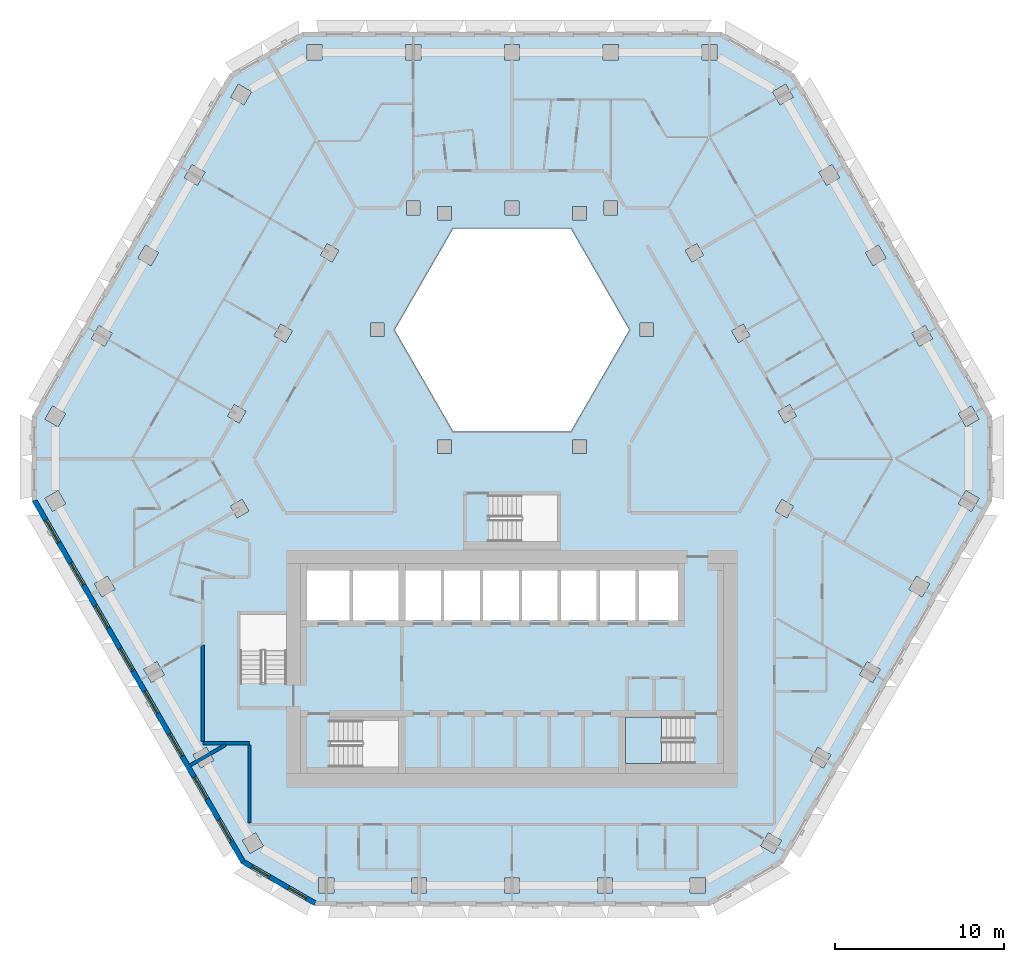
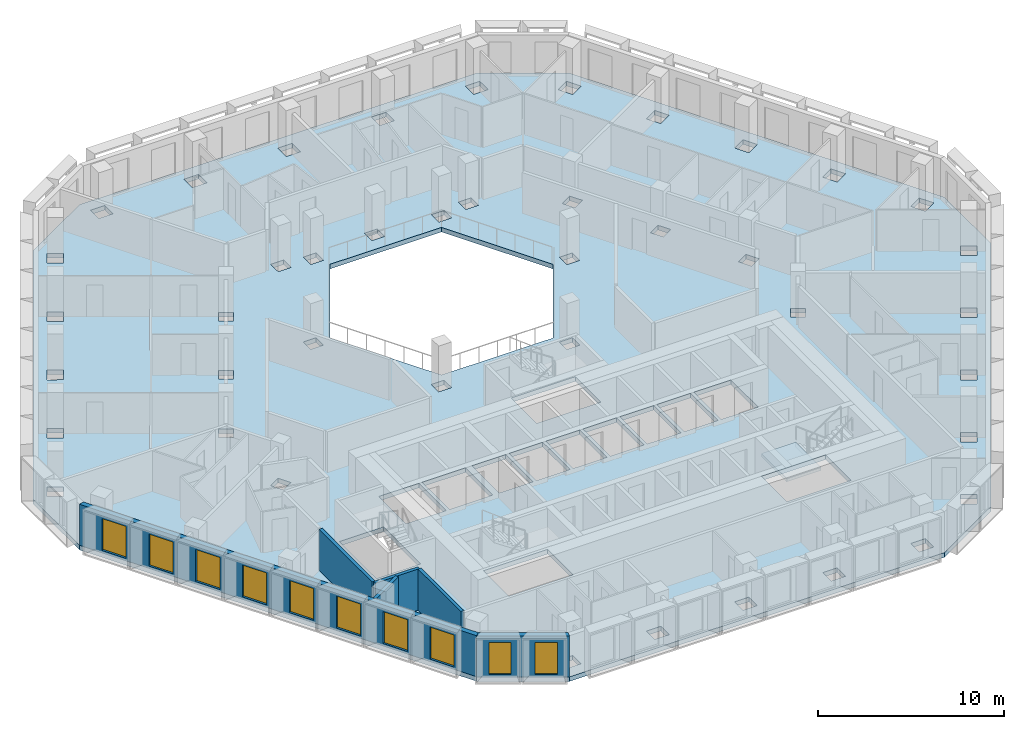
# One storey, part 2 of 18: 10 windows, 6 walls, 2 slabs, 10 openings, 1 element without a shape of its own.
"""IFC4 building model written with IfcOpenShell, lengths in metres."""

from ifc_helpers import new_model, si_unit, direction, frame, frame_2d, origin, place, context, subcontext, project, spatial, polyline, rectangle, outline, extrude, material, layer, layer_set, type_object, element, fill, aggregate, save


model = new_model("IFC4")

# Units and contexts
model_context = context("Model", 3, precision=1e-05, world=origin(), true_north=direction((0.0, 1.0)))
body_context = subcontext(model_context, "Body", "Model", "MODEL_VIEW")
ifc_project = project(units=[si_unit("LENGTHUNIT", "METRE"), si_unit("AREAUNIT", "SQUARE_METRE"), si_unit("VOLUMEUNIT", "CUBIC_METRE"), si_unit("PLANEANGLEUNIT", "RADIAN"), si_unit("MASSUNIT", "GRAM", prefix="KILO")], contexts=[model_context])

# Site, building, storey
site_placement = place(None, origin())
site = spatial("IfcSite", under=ifc_project, at=site_placement, CompositionType="ELEMENT")
building_placement = place(site_placement, origin())
building = spatial("IfcBuilding", under=site, at=building_placement, Name="Beryl Residences", CompositionType="ELEMENT")
storey_placement = place(building_placement, frame((0.0, 0.0, 138.60009765625)))
storey = spatial("IfcBuildingStorey", under=building, at=storey_placement, Name="L42", CompositionType="ELEMENT", Elevation=138.60009765625)

# Slab
ifc_material_1 = material(Name="Concrete C40/50", Category="concrete")
ifc_layer_1 = layer(ifc_material_1, 0.300048828125)
ifc_layer_set_1 = layer_set([ifc_layer_1], Name="SL7 PT floor slab 300 mm C40/50")
slab_type_1 = type_object("IfcSlabType", Name="SL7 PT floor slab 300 mm C40/50", PredefinedType="FLOOR", material=ifc_layer_set_1)
slab_1_placement = place(storey_placement, frame((0.0, 0.0, -0.300048828125)))
element("IfcSlab", 1, at=slab_1_placement, inside=storey, type_object=slab_type_1, Name="L42 slab 1", PredefinedType="FLOOR", context=body_context, shape_type="SweptSolid", body=[
    extrude(outline(polyline([(28.347900390625, -2.10009765625), (15.991943359375, -23.5), (11.662109375, -26.0), (-11.662109375, -26.0), (-15.991943359375, -23.5), (-28.347900390625, -2.10009765625), (-28.347900390625, 2.89990234375), (-16.68505859375, 23.10009765625), (-12.35498046875, 25.60009765625), (12.35498046875, 25.60009765625), (16.68505859375, 23.10009765625), (28.347900390625, 2.89990234375), (28.347900390625, -2.10009765625)]), holes=[polyline([(27.1279296875, 3.514892578125), (26.347900390625, 3.06494140625), (26.798095703125, 2.284912109375), (27.577880859375, 2.735107421875), (27.1279296875, 3.514892578125)]), polyline([(26.7958984375, -1.486083984375), (26.345947265625, -2.26611328125), (27.1259765625, -2.716064453125), (27.575927734375, -1.93603515625), (26.7958984375, -1.486083984375)]), polyline([(23.60498046875, 7.81494140625), (24.054931640625, 7.034912109375), (24.8349609375, 7.485107421875), (24.385009765625, 8.264892578125), (23.60498046875, 7.81494140625)]), polyline([(24.660888671875, -6.986083984375), (23.881103515625, -6.535888671875), (23.430908203125, -7.31591796875), (24.2109375, -7.76611328125), (24.660888671875, -6.986083984375)]), polyline([(21.64306640625, 13.014892578125), (20.863037109375, 12.56494140625), (21.31298828125, 11.784912109375), (22.093017578125, 12.235107421875), (21.64306640625, 13.014892578125)]), polyline([(20.965087890625, -11.5859375), (20.514892578125, -12.365966796875), (21.294921875, -12.81591796875), (21.7451171875, -12.035888671875), (20.965087890625, -11.5859375)]), polyline([(18.1201171875, 17.31494140625), (18.570068359375, 16.534912109375), (19.35009765625, 16.985107421875), (18.89990234375, 17.764892578125), (18.1201171875, 17.31494140625)]), polyline([(18.830078125, -17.0859375), (18.050048828125, -16.635986328125), (17.60009765625, -17.416015625), (18.3798828125, -17.865966796875), (18.830078125, -17.0859375)]), polyline([(16.39892578125, 3.595947265625), (15.70703125, 3.196044921875), (16.10693359375, 2.50390625), (16.799072265625, 2.904052734375), (16.39892578125, 3.595947265625)]), polyline([(16.6240234375, -2.405029296875), (15.931884765625, -2.0048828125), (15.531982421875, -2.697021484375), (16.22412109375, -3.096923828125), (16.6240234375, -2.405029296875)]), polyline([(16.157958984375, 22.514892578125), (15.3779296875, 22.06494140625), (15.827880859375, 21.284912109375), (16.60791015625, 21.735107421875), (16.157958984375, 22.514892578125)]), polyline([(15.9140625, -22.135009765625), (15.134033203125, -21.68505859375), (14.68408203125, -22.465087890625), (15.464111328125, -22.9150390625), (15.9140625, -22.135009765625)]), polyline([(13.656005859375, 8.345947265625), (12.964111328125, 7.946044921875), (13.364013671875, 7.25390625), (14.055908203125, 7.654052734375), (13.656005859375, 8.345947265625)]), polyline([(11.2119140625, 24.85009765625), (11.2119140625, 23.949951171875), (12.112060546875, 23.949951171875), (12.112060546875, 24.85009765625), (11.2119140625, 24.85009765625)]), polyline([(11.4208984375, -24.35009765625), (10.52099609375, -24.35009765625), (10.52099609375, -25.25), (11.4208984375, -25.25), (11.4208984375, -24.35009765625)]), polyline([(10.221923828125, 12.696044921875), (10.6220703125, 12.00390625), (11.31396484375, 12.404052734375), (10.9140625, 13.095947265625), (10.221923828125, 12.696044921875)]), polyline([(6.699951171875, -14.85009765625), (6.699951171875, -17.60009765625), (10.699951171875, -17.60009765625), (10.699951171875, -14.85009765625), (6.699951171875, -14.85009765625)]), polyline([(7.5, -9.14990234375), (9.800048828125, -9.14990234375), (9.800048828125, -6.199951171875), (7.5, -6.199951171875), (7.5, -9.14990234375)]), polyline([(8.366943359375, 7.60009765625), (8.366943359375, 8.39990234375), (7.56689453125, 8.39990234375), (7.56689453125, 7.60009765625), (8.366943359375, 7.60009765625)]), polyline([(7.300048828125, -9.14990234375), (7.300048828125, -6.199951171875), (5.199951171875, -6.199951171875), (5.199951171875, -9.14990234375), (7.300048828125, -9.14990234375)]), polyline([(3.464111328125, 14.0), (-3.464111328125, 14.0), (-6.92822265625, 8.0), (-3.464111328125, 2.0), (3.464111328125, 2.0), (6.92822265625, 8.0), (3.464111328125, 14.0)]), polyline([(5.381103515625, 24.85009765625), (5.381103515625, 23.949951171875), (6.281005859375, 23.949951171875), (6.281005859375, 24.85009765625), (5.381103515625, 24.85009765625)]), polyline([(5.430908203125, 15.60009765625), (5.430908203125, 14.800048828125), (6.23095703125, 14.800048828125), (6.23095703125, 15.60009765625), (5.430908203125, 15.60009765625)]), polyline([(5.93603515625, -25.25), (5.93603515625, -24.35009765625), (5.035888671875, -24.35009765625), (5.035888671875, -25.25), (5.93603515625, -25.25)]), polyline([(2.89990234375, -9.14990234375), (5.0, -9.14990234375), (5.0, -6.199951171875), (2.89990234375, -6.199951171875), (2.89990234375, -9.14990234375)]), polyline([(4.384033203125, 14.5), (4.384033203125, 15.300048828125), (3.583984375, 15.300048828125), (3.583984375, 14.5), (4.384033203125, 14.5)]), polyline([(3.583984375, 1.5), (3.583984375, 0.699951171875), (4.384033203125, 0.699951171875), (4.384033203125, 1.5), (3.583984375, 1.5)]), polyline([(2.699951171875, -4.5), (2.699951171875, -1.75), (-1.300048828125, -1.75), (-1.300048828125, -4.5), (2.699951171875, -4.5)]), polyline([(0.60009765625, -9.14990234375), (2.699951171875, -9.14990234375), (2.699951171875, -6.199951171875), (0.60009765625, -6.199951171875), (0.60009765625, -9.14990234375)]), polyline([(0.450927734375, -24.35009765625), (-0.448974609375, -24.35009765625), (-0.448974609375, -25.25), (0.450927734375, -25.25), (0.450927734375, -24.35009765625)]), polyline([(-0.449951171875, 24.85009765625), (-0.449951171875, 23.949951171875), (0.449951171875, 23.949951171875), (0.449951171875, 24.85009765625), (-0.449951171875, 24.85009765625)]), polyline([(0.39990234375, -6.199951171875), (-1.699951171875, -6.199951171875), (-1.699951171875, -9.14990234375), (0.39990234375, -9.14990234375), (0.39990234375, -6.199951171875)]), polyline([(-0.39990234375, 15.60009765625), (-0.39990234375, 14.800048828125), (0.39990234375, 14.800048828125), (0.39990234375, 15.60009765625), (-0.39990234375, 15.60009765625)]), polyline([(-4.0, -9.14990234375), (-1.89990234375, -9.14990234375), (-1.89990234375, -6.199951171875), (-4.0, -6.199951171875), (-4.0, -9.14990234375)]), polyline([(-3.583984375, 14.5), (-3.583984375, 15.300048828125), (-4.384033203125, 15.300048828125), (-4.384033203125, 14.5), (-3.583984375, 14.5)]), polyline([(-3.583984375, 0.699951171875), (-3.583984375, 1.5), (-4.384033203125, 1.5), (-4.384033203125, 0.699951171875), (-3.583984375, 0.699951171875)]), polyline([(-6.300048828125, -9.14990234375), (-4.199951171875, -9.14990234375), (-4.199951171875, -6.199951171875), (-6.300048828125, -6.199951171875), (-6.300048828125, -9.14990234375)]), polyline([(-5.033935546875, -25.25), (-5.033935546875, -24.35009765625), (-5.93408203125, -24.35009765625), (-5.93408203125, -25.25), (-5.033935546875, -25.25)]), polyline([(-6.281005859375, 23.949951171875), (-5.381103515625, 23.949951171875), (-5.381103515625, 24.85009765625), (-6.281005859375, 24.85009765625), (-6.281005859375, 23.949951171875)]), polyline([(-6.23095703125, 14.800048828125), (-5.430908203125, 14.800048828125), (-5.430908203125, 15.60009765625), (-6.23095703125, 15.60009765625), (-6.23095703125, 14.800048828125)]), polyline([(-6.699951171875, -6.199951171875), (-9.39990234375, -6.199951171875), (-9.39990234375, -9.14990234375), (-6.699951171875, -9.14990234375), (-6.699951171875, -6.199951171875)]), polyline([(-10.699951171875, -15.050048828125), (-10.699951171875, -17.800048828125), (-6.699951171875, -17.800048828125), (-6.699951171875, -15.050048828125), (-10.699951171875, -15.050048828125)]), polyline([(-7.56689453125, 7.60009765625), (-7.56689453125, 8.39990234375), (-8.366943359375, 8.39990234375), (-8.366943359375, 7.60009765625), (-7.56689453125, 7.60009765625)]), polyline([(-12.10009765625, -9.14990234375), (-9.60009765625, -9.14990234375), (-9.60009765625, -6.199951171875), (-12.10009765625, -6.199951171875), (-12.10009765625, -9.14990234375)]), polyline([(-11.31396484375, 12.404052734375), (-10.6220703125, 12.00390625), (-10.221923828125, 12.696044921875), (-10.9140625, 13.095947265625), (-11.31396484375, 12.404052734375)]), polyline([(-11.4189453125, -24.35009765625), (-11.4189453125, -25.25), (-10.51904296875, -25.25), (-10.51904296875, -24.35009765625), (-11.4189453125, -24.35009765625)]), polyline([(-12.112060546875, 24.85009765625), (-12.112060546875, 23.949951171875), (-11.2119140625, 23.949951171875), (-11.2119140625, 24.85009765625), (-12.112060546875, 24.85009765625)]), polyline([(-14.055908203125, 7.654052734375), (-13.364013671875, 7.25390625), (-12.964111328125, 7.946044921875), (-13.656005859375, 8.345947265625), (-14.055908203125, 7.654052734375)]), polyline([(-13.300048828125, -8.800048828125), (-16.050048828125, -8.800048828125), (-16.050048828125, -12.800048828125), (-13.300048828125, -12.800048828125), (-13.300048828125, -8.800048828125)]), polyline([(-14.68505859375, -22.464111328125), (-15.135009765625, -21.68408203125), (-15.9150390625, -22.134033203125), (-15.465087890625, -22.9140625), (-14.68505859375, -22.464111328125)]), polyline([(-15.827880859375, 21.284912109375), (-15.3779296875, 22.06494140625), (-16.157958984375, 22.514892578125), (-16.60791015625, 21.735107421875), (-15.827880859375, 21.284912109375)]), polyline([(-15.532958984375, -2.695068359375), (-15.93310546875, -2.0029296875), (-16.625, -2.403076171875), (-16.22509765625, -3.094970703125), (-15.532958984375, -2.695068359375)]), polyline([(-16.10693359375, 2.50390625), (-15.70703125, 3.196044921875), (-16.39892578125, 3.595947265625), (-16.799072265625, 2.904052734375), (-16.10693359375, 2.50390625)]), polyline([(-17.60107421875, -17.4140625), (-18.051025390625, -16.634033203125), (-18.8310546875, -17.083984375), (-18.381103515625, -17.864013671875), (-17.60107421875, -17.4140625)]), polyline([(-19.35009765625, 16.985107421875), (-18.570068359375, 16.534912109375), (-18.1201171875, 17.31494140625), (-18.89990234375, 17.764892578125), (-19.35009765625, 16.985107421875)]), polyline([(-21.2958984375, -12.81396484375), (-20.51611328125, -12.364013671875), (-20.966064453125, -11.583984375), (-21.74609375, -12.033935546875), (-21.2958984375, -12.81396484375)]), polyline([(-20.863037109375, 12.56494140625), (-21.64306640625, 13.014892578125), (-22.093017578125, 12.235107421875), (-21.31298828125, 11.784912109375), (-20.863037109375, 12.56494140625)]), polyline([(-24.2119140625, -7.763916015625), (-23.431884765625, -7.31396484375), (-23.882080078125, -6.533935546875), (-24.662109375, -6.98388671875), (-24.2119140625, -7.763916015625)]), polyline([(-24.8349609375, 7.485107421875), (-24.054931640625, 7.034912109375), (-23.60498046875, 7.81494140625), (-24.385009765625, 8.264892578125), (-24.8349609375, 7.485107421875)]), polyline([(-27.126953125, -2.715087890625), (-26.346923828125, -2.264892578125), (-26.797119140625, -1.485107421875), (-27.576904296875, -1.93505859375), (-27.126953125, -2.715087890625)]), polyline([(-27.577880859375, 2.735107421875), (-26.798095703125, 2.284912109375), (-26.347900390625, 3.06494140625), (-27.1279296875, 3.514892578125), (-27.577880859375, 2.735107421875)])]), origin(), (0.0, 0.0, 1.0), 0.300048828125),
])

# Stair, slab
ifc_material_2 = material(Name="Concrete C40/50", Category="concrete")
stair_type = type_object("IfcStairType", Name="ST1 protected exit stair, half-turn, 1300 mm flights", PredefinedType="HALF_TURN_STAIR", material=ifc_material_2)
stair_placement = place(storey_placement, origin())
stair = element("IfcStair", 2, at=stair_placement, inside=storey, type_object=stair_type, Name="L42 PROTECTED EXIT STAIR ST-3", PredefinedType="HALF_TURN_STAIR")
ifc_material_3 = material(Name="Concrete C40/50", Category="concrete")
ifc_layer_2 = layer(ifc_material_3, 0.199951171875)
ifc_layer_set_2 = layer_set([ifc_layer_2], Name="SLD1 stair landing 200 mm")
slab_type_2 = type_object("IfcSlabType", Name="SLD1 stair landing 200 mm", PredefinedType="LANDING", material=ifc_layer_set_2)
slab_2_placement = place(storey_placement, frame((0.0, 0.0, 1.2998046875)))
slab_2 = element("IfcSlab", 3, at=slab_2_placement, type_object=slab_type_2, Name="ST-3 landing 1", PredefinedType="LANDING", context=body_context, shape_type="SweptSolid", body=[
    extrude(outline(polyline([(8.840087890625, -14.85009765625), (6.699951171875, -14.85009765625), (6.699951171875, -17.60009765625), (8.840087890625, -17.60009765625), (8.840087890625, -14.85009765625)])), origin(), (0.0, 0.0, 1.0), 0.2001953125),
])
aggregate(stair, [slab_2])

# Wall, openings, windows
ifc_material_4 = material(Name="Composite metal panel with mineral wool insulation")
ifc_layer_3 = layer(ifc_material_4, 0.300048828125)
ifc_layer_set_3 = layer_set([ifc_layer_3], Name="ES1 pale metal composite panel wall 300 mm")
wall_type_1 = type_object("IfcWallType", Name="ES1 pale metal composite panel wall 300 mm", PredefinedType="SOLIDWALL", material=ifc_layer_set_3)
wall_1_placement = place(storey_placement, frame((-28.218017578125, -2.02490234375, 0.0), z_axis=(0.0, 0.0, 1.0), x_axis=(0.500017503135, -0.866015298109, 0.0)))
wall_1 = element("IfcWall", 4, at=wall_1_placement, inside=storey, type_object=wall_type_1, Name="ES1 external wall L42 SW", PredefinedType="SOLIDWALL", context=body_context, shape_type="SweptSolid", body=[
    extrude(outline(polyline([(0.0, -0.14990234375), (24.7109375, -0.14990234375), (24.630615234375, 0.14990234375), (0.080322265625, 0.14990234375), (0.0, -0.14990234375)])), origin(), (0.0, 0.0, 1.0), 2.699951171875),
])
opening_1_placement = place(wall_1_placement, frame((1.39990234375, 0.0, 0.14990234375)))
opening_1 = element("IfcOpeningElement", 5, at=opening_1_placement, cuts=wall_1, Name="Opening W1", PredefinedType="OPENING", context=body_context, shape_type="SweptSolid", body=[
    extrude(rectangle(XDim=1.5, YDim=2.10009765625, at=frame_2d((0.75, 1.050048828125))), frame((0.0, 0.159912109375, 0.0), z_axis=(0.0, -1.0, 0.0), x_axis=(1.0, 0.0, 0.0)), (0.0, 0.0, 1.0), 0.320068359375),
])
opening_2_placement = place(wall_1_placement, frame((4.31591796875, 0.0, 0.14990234375)))
opening_2 = element("IfcOpeningElement", 6, at=opening_2_placement, cuts=wall_1, Name="Opening W1", PredefinedType="OPENING", context=body_context, shape_type="SweptSolid", body=[
    extrude(rectangle(XDim=1.5, YDim=2.10009765625, at=frame_2d((0.75, 1.050048828125))), frame((0.0, 0.159912109375, 0.0), z_axis=(0.0, -1.0, 0.0), x_axis=(1.0, 0.0, 0.0)), (0.0, 0.0, 1.0), 0.320068359375),
])
opening_3_placement = place(wall_1_placement, frame((7.23095703125, 0.0, 0.14990234375)))
opening_3 = element("IfcOpeningElement", 7, at=opening_3_placement, cuts=wall_1, Name="Opening W1", PredefinedType="OPENING", context=body_context, shape_type="SweptSolid", body=[
    extrude(rectangle(XDim=1.5, YDim=2.10009765625, at=frame_2d((0.75, 1.050048828125))), frame((0.0, 0.159912109375, 0.0), z_axis=(0.0, -1.0, 0.0), x_axis=(1.0, 0.0, 0.0)), (0.0, 0.0, 1.0), 0.320068359375),
])
opening_4_placement = place(wall_1_placement, frame((10.14697265625, 0.0, 0.14990234375)))
opening_4 = element("IfcOpeningElement", 8, at=opening_4_placement, cuts=wall_1, Name="Opening W1", PredefinedType="OPENING", context=body_context, shape_type="SweptSolid", body=[
    extrude(rectangle(XDim=1.5, YDim=2.10009765625, at=frame_2d((0.75, 1.050048828125))), frame((0.0, 0.159912109375, 0.0), z_axis=(0.0, -1.0, 0.0), x_axis=(1.0, 0.0, 0.0)), (0.0, 0.0, 1.0), 0.320068359375),
])
opening_5_placement = place(wall_1_placement, frame((13.06201171875, 0.0, 0.14990234375)))
opening_5 = element("IfcOpeningElement", 9, at=opening_5_placement, cuts=wall_1, Name="Opening W1", PredefinedType="OPENING", context=body_context, shape_type="SweptSolid", body=[
    extrude(rectangle(XDim=1.5, YDim=2.10009765625, at=frame_2d((0.75, 1.050048828125))), frame((0.0, 0.159912109375, 0.0), z_axis=(0.0, -1.0, 0.0), x_axis=(1.0, 0.0, 0.0)), (0.0, 0.0, 1.0), 0.320068359375),
])
opening_6_placement = place(wall_1_placement, frame((15.97705078125, 0.0, 0.14990234375)))
opening_6 = element("IfcOpeningElement", 10, at=opening_6_placement, cuts=wall_1, Name="Opening W1", PredefinedType="OPENING", context=body_context, shape_type="SweptSolid", body=[
    extrude(rectangle(XDim=1.5, YDim=2.10009765625, at=frame_2d((0.75, 1.050048828125))), frame((0.0, 0.159912109375, 0.0), z_axis=(0.0, -1.0, 0.0), x_axis=(1.0, 0.0, 0.0)), (0.0, 0.0, 1.0), 0.320068359375),
])
opening_7_placement = place(wall_1_placement, frame((18.89306640625, 0.0, 0.14990234375)))
opening_7 = element("IfcOpeningElement", 11, at=opening_7_placement, cuts=wall_1, Name="Opening W1", PredefinedType="OPENING", context=body_context, shape_type="SweptSolid", body=[
    extrude(rectangle(XDim=1.5, YDim=2.10009765625, at=frame_2d((0.75, 1.050048828125))), frame((0.0, 0.159912109375, 0.0), z_axis=(0.0, -1.0, 0.0), x_axis=(1.0, 0.0, 0.0)), (0.0, 0.0, 1.0), 0.320068359375),
])
opening_8_placement = place(wall_1_placement, frame((21.80908203125, 0.0, 0.14990234375)))
opening_8 = element("IfcOpeningElement", 12, at=opening_8_placement, cuts=wall_1, Name="Opening W1", PredefinedType="OPENING", context=body_context, shape_type="SweptSolid", body=[
    extrude(rectangle(XDim=1.5, YDim=2.10009765625, at=frame_2d((0.75, 1.050048828125))), frame((0.0, 0.159912109375, 0.0), z_axis=(0.0, -1.0, 0.0), x_axis=(1.0, 0.0, 0.0)), (0.0, 0.0, 1.0), 0.320068359375),
])
ifc_material_5 = material(Name="Aluminium and clear glass", Category="aluminium")
window_type_1 = type_object("IfcWindowType", Name="W1 cell window 1500 x 2100 mm", PartitioningType="SINGLE_PANEL", PredefinedType="WINDOW", material=ifc_material_5)
window_1_placement = place(opening_1_placement, origin())
window_1 = element("IfcWindow", 13, at=window_1_placement, inside=storey, type_object=window_type_1, Name="W1 window L42 SW 1", OverallHeight=2.10009765625, OverallWidth=1.5, PartitioningType="SINGLE_PANEL", PredefinedType="WINDOW", context=body_context, shape_type="SweptSolid", body=[
    extrude(rectangle(XDim=1.5, YDim=2.10009765625, at=frame_2d((0.75, 1.050048828125))), frame((0.0, 0.030029296875, 0.0), z_axis=(0.0, -1.0, 0.0), x_axis=(1.0, 0.0, 0.0)), (0.0, 0.0, 1.0), 0.06005859375),
])
fill(opening_1, window_1)
window_2_placement = place(opening_2_placement, origin())
window_2 = element("IfcWindow", 14, at=window_2_placement, inside=storey, type_object=window_type_1, Name="W1 window L42 SW 2", OverallHeight=2.10009765625, OverallWidth=1.5, PartitioningType="SINGLE_PANEL", PredefinedType="WINDOW", context=body_context, shape_type="SweptSolid", body=[
    extrude(rectangle(XDim=1.5, YDim=2.10009765625, at=frame_2d((0.75, 1.050048828125))), frame((0.0, 0.030029296875, 0.0), z_axis=(0.0, -1.0, 0.0), x_axis=(1.0, 0.0, 0.0)), (0.0, 0.0, 1.0), 0.06005859375),
])
fill(opening_2, window_2)
window_3_placement = place(opening_3_placement, origin())
window_3 = element("IfcWindow", 15, at=window_3_placement, inside=storey, type_object=window_type_1, Name="W1 window L42 SW 3", OverallHeight=2.10009765625, OverallWidth=1.5, PartitioningType="SINGLE_PANEL", PredefinedType="WINDOW", context=body_context, shape_type="SweptSolid", body=[
    extrude(rectangle(XDim=1.5, YDim=2.10009765625, at=frame_2d((0.75, 1.050048828125))), frame((0.0, 0.030029296875, 0.0), z_axis=(0.0, -1.0, 0.0), x_axis=(1.0, 0.0, 0.0)), (0.0, 0.0, 1.0), 0.06005859375),
])
fill(opening_3, window_3)
window_4_placement = place(opening_4_placement, origin())
window_4 = element("IfcWindow", 16, at=window_4_placement, inside=storey, type_object=window_type_1, Name="W1 window L42 SW 4", OverallHeight=2.10009765625, OverallWidth=1.5, PartitioningType="SINGLE_PANEL", PredefinedType="WINDOW", context=body_context, shape_type="SweptSolid", body=[
    extrude(rectangle(XDim=1.5, YDim=2.10009765625, at=frame_2d((0.75, 1.050048828125))), frame((0.0, 0.030029296875, 0.0), z_axis=(0.0, -1.0, 0.0), x_axis=(1.0, 0.0, 0.0)), (0.0, 0.0, 1.0), 0.06005859375),
])
fill(opening_4, window_4)
window_5_placement = place(opening_5_placement, origin())
window_5 = element("IfcWindow", 17, at=window_5_placement, inside=storey, type_object=window_type_1, Name="W1 window L42 SW 5", OverallHeight=2.10009765625, OverallWidth=1.5, PartitioningType="SINGLE_PANEL", PredefinedType="WINDOW", context=body_context, shape_type="SweptSolid", body=[
    extrude(rectangle(XDim=1.5, YDim=2.10009765625, at=frame_2d((0.75, 1.050048828125))), frame((0.0, 0.030029296875, 0.0), z_axis=(0.0, -1.0, 0.0), x_axis=(1.0, 0.0, 0.0)), (0.0, 0.0, 1.0), 0.06005859375),
])
fill(opening_5, window_5)
window_6_placement = place(opening_6_placement, origin())
window_6 = element("IfcWindow", 18, at=window_6_placement, inside=storey, type_object=window_type_1, Name="W1 window L42 SW 6", OverallHeight=2.10009765625, OverallWidth=1.5, PartitioningType="SINGLE_PANEL", PredefinedType="WINDOW", context=body_context, shape_type="SweptSolid", body=[
    extrude(rectangle(XDim=1.5, YDim=2.10009765625, at=frame_2d((0.75, 1.050048828125))), frame((0.0, 0.030029296875, 0.0), z_axis=(0.0, -1.0, 0.0), x_axis=(1.0, 0.0, 0.0)), (0.0, 0.0, 1.0), 0.06005859375),
])
fill(opening_6, window_6)
window_7_placement = place(opening_7_placement, origin())
window_7 = element("IfcWindow", 19, at=window_7_placement, inside=storey, type_object=window_type_1, Name="W1 window L42 SW 7", OverallHeight=2.10009765625, OverallWidth=1.5, PartitioningType="SINGLE_PANEL", PredefinedType="WINDOW", context=body_context, shape_type="SweptSolid", body=[
    extrude(rectangle(XDim=1.5, YDim=2.10009765625, at=frame_2d((0.75, 1.050048828125))), frame((0.0, 0.030029296875, 0.0), z_axis=(0.0, -1.0, 0.0), x_axis=(1.0, 0.0, 0.0)), (0.0, 0.0, 1.0), 0.06005859375),
])
fill(opening_7, window_7)
window_8_placement = place(opening_8_placement, origin())
window_8 = element("IfcWindow", 20, at=window_8_placement, inside=storey, type_object=window_type_1, Name="W1 window L42 SW 8", OverallHeight=2.10009765625, OverallWidth=1.5, PartitioningType="SINGLE_PANEL", PredefinedType="WINDOW", context=body_context, shape_type="SweptSolid", body=[
    extrude(rectangle(XDim=1.5, YDim=2.10009765625, at=frame_2d((0.75, 1.050048828125))), frame((0.0, 0.030029296875, 0.0), z_axis=(0.0, -1.0, 0.0), x_axis=(1.0, 0.0, 0.0)), (0.0, 0.0, 1.0), 0.06005859375),
])
fill(opening_8, window_8)

wall_2_placement = place(storey_placement, frame((-15.9169921875, -23.3701171875, 0.0), z_axis=(0.0, 0.0, 1.0), x_axis=(0.866022959057, -0.500004234368, 0.0)))
wall_2 = element("IfcWall", 21, at=wall_2_placement, inside=storey, type_object=wall_type_1, Name="ES1 external wall L42 SW-S", PredefinedType="SOLIDWALL", context=body_context, shape_type="SweptSolid", body=[
    extrude(outline(polyline([(0.0, -0.14990234375), (5.0, -0.14990234375), (4.919677734375, 0.14990234375), (0.080322265625, 0.14990234375), (0.0, -0.14990234375)])), origin(), (0.0, 0.0, 1.0), 2.699951171875),
])
opening_9_placement = place(wall_2_placement, frame((0.64990234375, 0.0, 0.14990234375)))
opening_9 = element("IfcOpeningElement", 22, at=opening_9_placement, cuts=wall_2, Name="Opening W2", PredefinedType="OPENING", context=body_context, shape_type="SweptSolid", body=[
    extrude(rectangle(XDim=1.199951171875, YDim=2.10009765625, at=frame_2d((0.60009765625, 1.050048828125))), frame((0.0, 0.159912109375, 0.0), z_axis=(0.0, -1.0, 0.0), x_axis=(1.0, 0.0, 0.0)), (0.0, 0.0, 1.0), 0.320068359375),
])
opening_10_placement = place(wall_2_placement, frame((3.14990234375, 0.0, 0.14990234375)))
opening_10 = element("IfcOpeningElement", 23, at=opening_10_placement, cuts=wall_2, Name="Opening W2", PredefinedType="OPENING", context=body_context, shape_type="SweptSolid", body=[
    extrude(rectangle(XDim=1.199951171875, YDim=2.10009765625, at=frame_2d((0.60009765625, 1.050048828125))), frame((0.0, 0.159912109375, 0.0), z_axis=(0.0, -1.0, 0.0), x_axis=(1.0, 0.0, 0.0)), (0.0, 0.0, 1.0), 0.320068359375),
])
ifc_material_6 = material(Name="Aluminium and clear glass", Category="aluminium")
window_type_2 = type_object("IfcWindowType", Name="W2 chamfer window 1200 x 2100 mm", PartitioningType="SINGLE_PANEL", PredefinedType="WINDOW", material=ifc_material_6)
window_9_placement = place(opening_9_placement, origin())
window_9 = element("IfcWindow", 24, at=window_9_placement, inside=storey, type_object=window_type_2, Name="W2 window L42 SW-S 1", OverallHeight=2.10009765625, OverallWidth=1.199951171875, PartitioningType="SINGLE_PANEL", PredefinedType="WINDOW", context=body_context, shape_type="SweptSolid", body=[
    extrude(rectangle(XDim=1.199951171875, YDim=2.10009765625, at=frame_2d((0.60009765625, 1.050048828125))), frame((0.0, 0.030029296875, 0.0), z_axis=(0.0, -1.0, 0.0), x_axis=(1.0, 0.0, 0.0)), (0.0, 0.0, 1.0), 0.06005859375),
])
fill(opening_9, window_9)
window_10_placement = place(opening_10_placement, origin())
window_10 = element("IfcWindow", 25, at=window_10_placement, inside=storey, type_object=window_type_2, Name="W2 window L42 SW-S 2", OverallHeight=2.10009765625, OverallWidth=1.199951171875, PartitioningType="SINGLE_PANEL", PredefinedType="WINDOW", context=body_context, shape_type="SweptSolid", body=[
    extrude(rectangle(XDim=1.199951171875, YDim=2.10009765625, at=frame_2d((0.60009765625, 1.050048828125))), frame((0.0, 0.030029296875, 0.0), z_axis=(0.0, -1.0, 0.0), x_axis=(1.0, 0.0, 0.0)), (0.0, 0.0, 1.0), 0.06005859375),
])
fill(opening_10, window_10)

# Walls
ifc_material_7 = material(Name="Acoustic double stud gypsum board wall")
ifc_layer_4 = layer(ifc_material_7, 0.199951171875)
ifc_layer_set_4 = layer_set([ifc_layer_4], Name="PT3 party wall 200 mm acoustic double stud")
wall_type_2 = type_object("IfcWallType", Name="PT3 party wall 200 mm acoustic double stud", PredefinedType="PARTITIONING", material=ifc_layer_set_4)
wall_3_placement = place(storey_placement, frame((-18.9951171875, -17.698974609375, 0.0), z_axis=(0.0, 0.0, 1.0), x_axis=(0.86607371389, 0.499916315105, 0.0)))
element("IfcWall", 26, at=wall_3_placement, inside=storey, type_object=wall_type_2, Name="Wall PT3 L42 010", PredefinedType="PARTITIONING", context=body_context, shape_type="SweptSolid", body=[
    extrude(rectangle(XDim=2.3984375, YDim=0.199951171875, at=frame_2d((1.19921875, 0.0))), origin(), (0.0, 0.0, 1.0), 2.699951171875),
])
ifc_material_8 = material(Name="Double stud gypsum board wall")
ifc_layer_5 = layer(ifc_material_8, 0.199951171875)
ifc_layer_set_5 = layer_set([ifc_layer_5], Name="PT4 corridor wall 200 mm double stud")
wall_type_3 = type_object("IfcWallType", Name="PT4 corridor wall 200 mm double stud", PredefinedType="PARTITIONING", material=ifc_layer_set_5)
wall_4_placement = place(storey_placement, frame((-15.5, -16.5, 0.0), z_axis=(0.0, 0.0, 1.0), x_axis=(0.0, -1.0, 0.0)))
element("IfcWall", 27, at=wall_4_placement, inside=storey, type_object=wall_type_3, Name="Wall PT4 L42 007", PredefinedType="PARTITIONING", context=body_context, shape_type="SweptSolid", body=[
    extrude(rectangle(XDim=4.59912109375, YDim=0.199951171875, at=frame_2d((2.299560546875, 0.0))), origin(), (0.0, 0.0, 1.0), 2.699951171875),
])
wall_5_placement = place(storey_placement, frame((-18.25, -10.593017578125, 0.0), z_axis=(0.0, 0.0, 1.0), x_axis=(0.0, -1.0, 0.0)))
element("IfcWall", 28, at=wall_5_placement, inside=storey, type_object=wall_type_3, Name="Wall PT4 L42 008", PredefinedType="PARTITIONING", context=body_context, shape_type="SweptSolid", body=[
    extrude(rectangle(XDim=5.7060546875, YDim=0.199951171875, at=frame_2d((2.85302734375, 0.0))), origin(), (0.0, 0.0, 1.0), 2.699951171875),
])
wall_6_placement = place(storey_placement, frame((-18.2490234375, -16.39990234375, 0.0), z_axis=(0.0, 0.0, 1.0), x_axis=(1.0, 0.0, 0.0)))
element("IfcWall", 29, at=wall_6_placement, inside=storey, type_object=wall_type_3, Name="Wall PT4 L42 011", PredefinedType="PARTITIONING", context=body_context, shape_type="SweptSolid", body=[
    extrude(rectangle(XDim=2.7490234375, YDim=0.199951171875, at=frame_2d((1.37451171875, 0.0))), origin(), (0.0, 0.0, 1.0), 2.699951171875),
])

save(model, "model.ifc")
